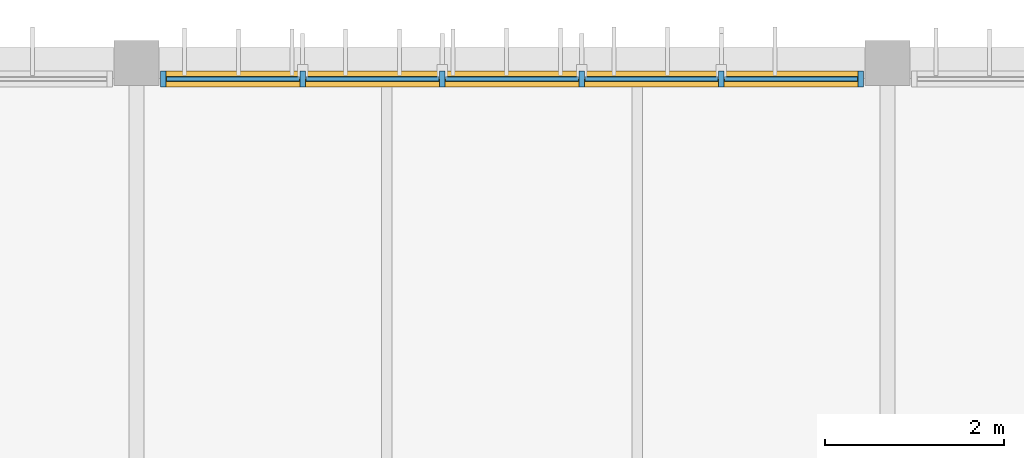
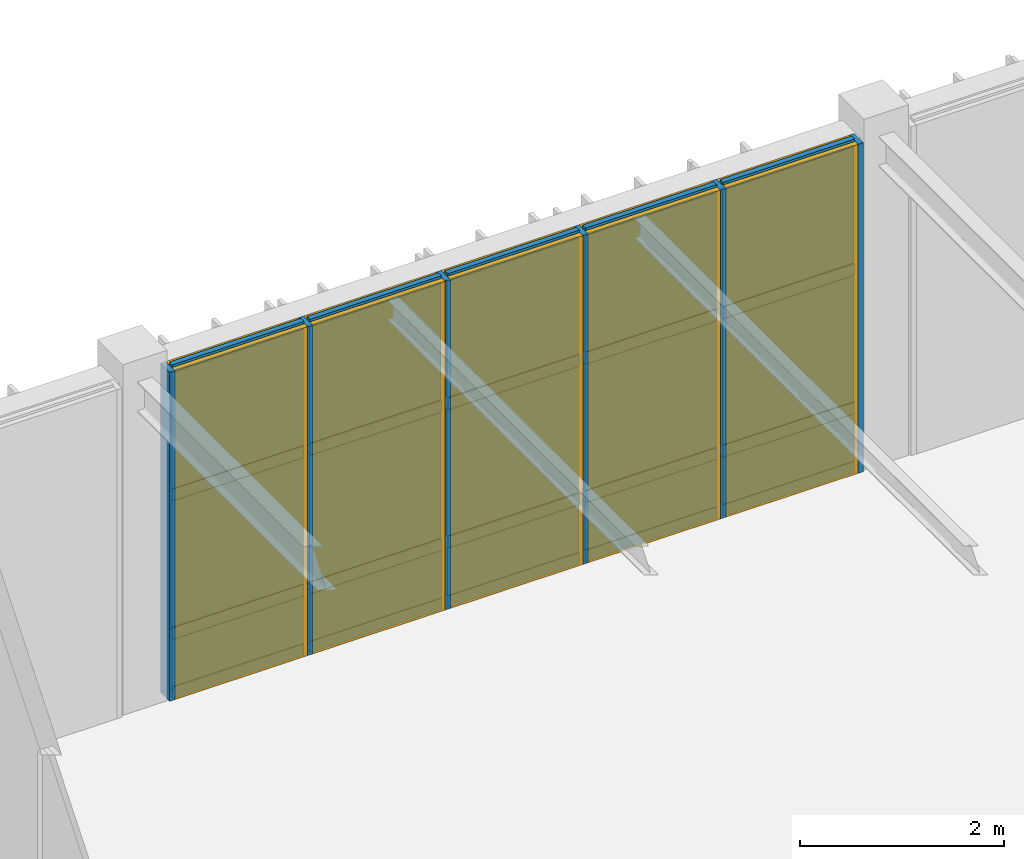
# One storey, part 104 of 122: 26 members, 15 plates, 1 curtain wall.
"""IFC4 building model written with IfcOpenShell, lengths in metres."""

import ifcopenshell
import ifcopenshell.guid

model = None  # the IFC model being written
_history = None  # IfcOwnerHistory: only IFC2X3 demands one
_inside = {}  # id of a spatial element -> (the spatial element, [elements in it])
_under = {}  # id of a project, library or spatial element -> (it, [spatial elements below it])
_declared = {}  # id of a project -> (the project, [libraries it declares])
_typed = {}  # id of a type object -> (the type object, [elements of that type])
_made_of = {}  # id of a material, layer set ... -> (it, [elements and type objects made of it])


def new_model(schema):
    """Start an empty IFC model of exactly this schema.

    Asked for "IFC4X3", IfcOpenShell would pick the latest addendum, in which some entities
    have other attributes; the version numbers below select the first issue.
    IFC2X3 requires an IfcOwnerHistory on every rooted entity: one is made here for all.
    """
    global model, _history
    if schema == "IFC4X3":
        model = ifcopenshell.file(schema_version=(4, 3, 0, 0))
    else:
        model = ifcopenshell.file(schema=schema)
    _inside.clear()
    _under.clear()
    _declared.clear()
    _typed.clear()
    _made_of.clear()
    _history = None
    if model.schema == "IFC2X3":
        org = make("IfcOrganization", Name="unknown")
        user = make(
            "IfcPersonAndOrganization",
            ThePerson=make("IfcPerson", FamilyName="unknown"),
            TheOrganization=org,
        )
        app = make(
            "IfcApplication",
            ApplicationDeveloper=org,
            Version="unknown",
            ApplicationFullName="unknown",
            ApplicationIdentifier="unknown",
        )
        _history = make(
            "IfcOwnerHistory",
            OwningUser=user,
            OwningApplication=app,
            ChangeAction="ADDED",
            CreationDate=0,
        )
    return model


def make(cls, **values):
    """One entity of the class cls with the attributes given. An attribute that is None is left unset."""
    return model.create_entity(
        cls, **{name: value for name, value in values.items() if value is not None}
    )


def rooted(cls, **values):
    """An entity with a GlobalId (a new one), such as an element, a storey or a relation."""
    return make(cls, GlobalId=ifcopenshell.guid.new(), OwnerHistory=_history, **values)


def si_unit(unit_type, name, prefix=None):
    """IfcSIUnit, for example si_unit("LENGTHUNIT", "METRE", prefix="MILLI")."""
    return make("IfcSIUnit", UnitType=unit_type, Prefix=prefix, Name=name)


def assignment(units):
    """IfcUnitAssignment: the units of a project."""
    return None if units is None else make("IfcUnitAssignment", Units=units)


def point(xyz):
    """IfcCartesianPoint."""
    return None if xyz is None else make("IfcCartesianPoint", Coordinates=xyz)


def direction(xyz):
    """IfcDirection."""
    return None if xyz is None else make("IfcDirection", DirectionRatios=xyz)


def frame(location, z_axis=None, x_axis=None):
    """IfcAxis2Placement3D, a coordinate frame: its origin and axes. An axis left out is left unset."""
    return make(
        "IfcAxis2Placement3D",
        Location=point(location),
        Axis=direction(z_axis),
        RefDirection=direction(x_axis),
    )


def frame_2d(location, x_axis=None):
    """IfcAxis2Placement2D, a coordinate frame in the plane: its origin and x axis."""
    return make(
        "IfcAxis2Placement2D", Location=point(location), RefDirection=direction(x_axis)
    )


def origin():
    """The frame at (0, 0, 0) with its axes left unset."""
    return frame((0.0, 0.0, 0.0))


def origin_2d():
    """The frame at (0, 0) in the plane with its x axis left unset."""
    return frame_2d((0.0, 0.0))


def place(relative_to, where):
    """IfcLocalPlacement: puts the frame where relative to a parent placement (None: the world)."""
    return make(
        "IfcLocalPlacement", PlacementRelTo=relative_to, RelativePlacement=where
    )


def context(
    kind, dimensions, precision=None, world=None, true_north=None, identifier=None
):
    """IfcGeometricRepresentationContext, for example the 3D "Model" context."""
    return make(
        "IfcGeometricRepresentationContext",
        ContextIdentifier=identifier,
        ContextType=kind,
        CoordinateSpaceDimension=dimensions,
        Precision=precision,
        WorldCoordinateSystem=world,
        TrueNorth=true_north,
    )


def subcontext(parent, identifier, kind, view, scale=None):
    """IfcGeometricRepresentationSubContext, for example "Body" below "Model"."""
    return make(
        "IfcGeometricRepresentationSubContext",
        ContextIdentifier=identifier,
        ContextType=kind,
        ParentContext=parent,
        TargetScale=scale,
        TargetView=view,
    )


def project(units=None, contexts=None):
    """IfcProject with its units and contexts."""
    return rooted(
        "IfcProject",
        Name="project",
        RepresentationContexts=contexts,
        UnitsInContext=assignment(units),
    )


def spatial(cls, under=None, at=None, **own):
    """A site, building, storey or space (cls), placed at a placement, below another one or the project."""
    s = rooted(cls, ObjectPlacement=at, **own)
    if under is not None:
        _under.setdefault(under.id(), (under, []))[1].append(s)
    return s


def profile(cls, at=None, kind="AREA", **sizes):
    """A parametric profile (cls). Its sizes go by their IFC names, for example OverallWidth=200.0."""
    return make(cls, ProfileType=kind, Position=at, **sizes)


def rectangle(**sizes):
    """IfcRectangleProfileDef."""
    return profile("IfcRectangleProfileDef", **sizes)


def extrude(swept, where, along, depth):
    """IfcExtrudedAreaSolid: the profile swept, set in the frame where, extruded along a direction by depth."""
    return make(
        "IfcExtrudedAreaSolid",
        SweptArea=swept,
        Position=where,
        ExtrudedDirection=direction(along),
        Depth=depth,
    )


def shape(context_of_items, identifier, shape_type, items):
    """IfcShapeRepresentation: the items that make up one representation, for example the "Body"."""
    return make(
        "IfcShapeRepresentation",
        ContextOfItems=context_of_items,
        RepresentationIdentifier=identifier,
        RepresentationType=shape_type,
        Items=items,
    )


def material(Name=None, Category=None):
    """IfcMaterial."""
    return make("IfcMaterial", Name=Name, Category=Category)


def layer(
    of_material, thickness, ventilated=None, Name=None, Category=None, Priority=None
):
    """IfcMaterialLayer: one layer of a wall or slab, of a material (None: an air gap)."""
    return make(
        "IfcMaterialLayer",
        Material=of_material,
        LayerThickness=thickness,
        IsVentilated=ventilated,
        Name=Name,
        Category=Category,
        Priority=Priority,
    )


def layer_set(layers, Name=None):
    """IfcMaterialLayerSet."""
    return make("IfcMaterialLayerSet", MaterialLayers=layers, LayerSetName=Name)


def material_profile(
    of_material, cross_section, Name=None, Category=None, Priority=None
):
    """IfcMaterialProfile: a cross section and its material."""
    return make(
        "IfcMaterialProfile",
        Name=Name,
        Material=of_material,
        Profile=cross_section,
        Priority=Priority,
        Category=Category,
    )


def profile_set(profiles, Name=None, composite=None):
    """IfcMaterialProfileSet."""
    return make(
        "IfcMaterialProfileSet",
        Name=Name,
        MaterialProfiles=profiles,
        CompositeProfile=composite,
    )


def made_of(thing, what):
    """Note that an element or type object is made of a material, layer set ...; save() writes the relation."""
    if what is not None:
        _made_of.setdefault(what.id(), (what, []))[1].append(thing)
    return thing


def type_object(cls, material=None, **own):
    """A type object (cls), such as IfcWallType, which elements share."""
    return made_of(rooted(cls, **own), material)


def element(
    cls,
    number,
    at=None,
    inside=None,
    cuts=None,
    type_object=None,
    material=None,
    context=None,
    identifier="Body",
    shape_type=None,
    held_by="IfcProductDefinitionShape",
    body=None,
    shapes=None,
    **own,
):
    """One element of the class cls, such as IfcWall. Its Tag is "e" and its number.

    at: its placement. inside: the storey or other place that contains it. cuts: it is an
    opening in that element (IfcRelVoidsElement). A single representation is given by context,
    identifier, shape_type and body (its items); several are given by shapes. held_by: the class
    of the entity that holds the representations. save() writes the other relations.
    """
    e = rooted(cls, Tag="e%d" % number, ObjectPlacement=at, **own)
    if body is not None:
        shapes = [shape(context, identifier, shape_type, body)]
    if shapes is not None:
        e.Representation = make(held_by, Representations=shapes)
    if inside is not None:
        _inside.setdefault(inside.id(), (inside, []))[1].append(e)
    if cuts is not None:
        rooted(
            "IfcRelVoidsElement", RelatingBuildingElement=cuts, RelatedOpeningElement=e
        )
    if type_object is not None:
        _typed.setdefault(type_object.id(), (type_object, []))[1].append(e)
    return made_of(e, material)


def aggregate(whole, parts):
    """IfcRelAggregates: a whole, such as a stair, and the parts it consists of."""
    return rooted("IfcRelAggregates", RelatingObject=whole, RelatedObjects=parts)


def save(model, path):
    """Write the relations noted so far, then the file.

    IfcRelAggregates (storeys below a building ...), IfcRelContainedInSpatialStructure (elements
    in a storey), IfcRelDefinesByType, IfcRelAssociatesMaterial and IfcRelDeclares: one each for
    every whole, place, type object, material and project.
    """
    for whole, parts in _under.values():
        aggregate(whole, parts)
    for where, things in _inside.values():
        rooted(
            "IfcRelContainedInSpatialStructure",
            RelatedElements=things,
            RelatingStructure=where,
        )
    for kind, things in _typed.values():
        rooted("IfcRelDefinesByType", RelatedObjects=things, RelatingType=kind)
    for what, things in _made_of.values():
        rooted("IfcRelAssociatesMaterial", RelatedObjects=things, RelatingMaterial=what)
    for by, libraries in _declared.values():
        rooted("IfcRelDeclares", RelatingContext=by, RelatedDefinitions=libraries)
    model.write(path)


model = new_model("IFC4")

# Units and contexts
model_context = context("Model", 3, precision=1e-05, world=origin(), true_north=direction((0.0, 1.0)))
body_context = subcontext(model_context, "Body", "Model", "MODEL_VIEW")
ifc_project = project(units=[si_unit("LENGTHUNIT", "METRE"), si_unit("AREAUNIT", "SQUARE_METRE"), si_unit("VOLUMEUNIT", "CUBIC_METRE"), si_unit("PLANEANGLEUNIT", "RADIAN"), si_unit("MASSUNIT", "GRAM", prefix="KILO")], contexts=[model_context])

# Member
ifc_material_1 = material(Name="Anodised Bronze Aluminium 6063-T6", Category="aluminium")
ifc_material_profile_1 = material_profile(ifc_material_1, rectangle(XDim=0.06005859375, YDim=0.179931640625, at=origin_2d()), Name="ALU MULLION 60x180")
ifc_profile_set_1 = profile_set([ifc_material_profile_1], Name="Anodised Bronze Aluminium 6063-T6")
member_type_1 = type_object("IfcMemberType", Name="Curtain-Wall Primary Mullion 60x180", PredefinedType="MULLION", material=ifc_profile_set_1)
site_placement = place(None, origin())
building_placement = place(site_placement, origin())
storey_placement = place(building_placement, frame((0.0, 0.0, 4.800048828125)))
member_1_placement = place(storey_placement, frame((134.10009765625, 111.6201171875, 0.0), z_axis=(0.0, 0.0, 1.0), x_axis=(1.0, 0.0, 0.0)))
member_1 = element("IfcMember", 1, at=member_1_placement, type_object=member_type_1, Name="Mullion CWM-01 CW-V3-N3-L01-B2-M01", PredefinedType="MULLION", context=body_context, shape_type="SweptSolid", body=[
    extrude(rectangle(XDim=0.06005859375, YDim=0.179931640625, at=origin_2d()), origin(), (0.0, 0.0, 1.0), 3.93994140625),
])

member_2_placement = place(storey_placement, frame((135.659912109375, 111.6201171875, 0.0), z_axis=(0.0, 0.0, 1.0), x_axis=(1.0, 0.0, 0.0)))
member_2 = element("IfcMember", 2, at=member_2_placement, type_object=member_type_1, Name="Mullion CWM-01 CW-V3-N3-L01-B2-M02", PredefinedType="MULLION", context=body_context, shape_type="SweptSolid", body=[
    extrude(rectangle(XDim=0.06005859375, YDim=0.179931640625, at=origin_2d()), origin(), (0.0, 0.0, 1.0), 3.93994140625),
])

member_3_placement = place(storey_placement, frame((137.219970703125, 111.6201171875, 0.0), z_axis=(0.0, 0.0, 1.0), x_axis=(1.0, 0.0, 0.0)))
member_3 = element("IfcMember", 3, at=member_3_placement, type_object=member_type_1, Name="Mullion CWM-01 CW-V3-N3-L01-B2-M03", PredefinedType="MULLION", context=body_context, shape_type="SweptSolid", body=[
    extrude(rectangle(XDim=0.06005859375, YDim=0.179931640625, at=origin_2d()), origin(), (0.0, 0.0, 1.0), 3.93994140625),
])

member_4_placement = place(storey_placement, frame((138.780029296875, 111.6201171875, 0.0), z_axis=(0.0, 0.0, 1.0), x_axis=(1.0, 0.0, 0.0)))
member_4 = element("IfcMember", 4, at=member_4_placement, type_object=member_type_1, Name="Mullion CWM-01 CW-V3-N3-L01-B2-M04", PredefinedType="MULLION", context=body_context, shape_type="SweptSolid", body=[
    extrude(rectangle(XDim=0.06005859375, YDim=0.179931640625, at=origin_2d()), origin(), (0.0, 0.0, 1.0), 3.93994140625),
])

member_5_placement = place(storey_placement, frame((140.340087890625, 111.6201171875, 0.0), z_axis=(0.0, 0.0, 1.0), x_axis=(1.0, 0.0, 0.0)))
member_5 = element("IfcMember", 5, at=member_5_placement, type_object=member_type_1, Name="Mullion CWM-01 CW-V3-N3-L01-B2-M05", PredefinedType="MULLION", context=body_context, shape_type="SweptSolid", body=[
    extrude(rectangle(XDim=0.06005859375, YDim=0.179931640625, at=origin_2d()), origin(), (0.0, 0.0, 1.0), 3.93994140625),
])

member_6_placement = place(storey_placement, frame((141.89990234375, 111.6201171875, 0.0), z_axis=(0.0, 0.0, 1.0), x_axis=(1.0, 0.0, 0.0)))
member_6 = element("IfcMember", 6, at=member_6_placement, type_object=member_type_1, Name="Mullion CWM-01 CW-V3-N3-L01-B2-M06", PredefinedType="MULLION", context=body_context, shape_type="SweptSolid", body=[
    extrude(rectangle(XDim=0.06005859375, YDim=0.179931640625, at=origin_2d()), origin(), (0.0, 0.0, 1.0), 3.93994140625),
])

ifc_material_profile_2 = material_profile(ifc_material_1, rectangle(XDim=0.06005859375, YDim=0.139892578125, at=origin_2d()), Name="ALU TRANSOM 60x140")
ifc_profile_set_2 = profile_set([ifc_material_profile_2], Name="Anodised Bronze Aluminium 6063-T6")
member_type_2 = type_object("IfcMemberType", Name="Curtain-Wall Transom 60x140", PredefinedType="USERDEFINED", material=ifc_profile_set_2)
member_7_placement = place(storey_placement, frame((134.135009765625, 111.6201171875, 0.0400390625), z_axis=(1.0, 0.0, 0.0), x_axis=(0.0, 1.0, 0.0)))
member_7 = element("IfcMember", 7, at=member_7_placement, type_object=member_type_2, Name="Transom CWT-01 CW-V3-N3-L01-B2-T01.1", ObjectType="TRANSOM", PredefinedType="USERDEFINED", context=body_context, shape_type="SweptSolid", body=[
    extrude(rectangle(XDim=0.06005859375, YDim=0.139892578125, at=origin_2d()), origin(), (0.0, 0.0, 1.0), 1.489990234375),
])

member_8_placement = place(storey_placement, frame((134.135009765625, 111.6201171875, 0.75), z_axis=(1.0, 0.0, 0.0), x_axis=(0.0, 1.0, 0.0)))
member_8 = element("IfcMember", 8, at=member_8_placement, type_object=member_type_2, Name="Transom CWT-01 CW-V3-N3-L01-B2-T01.2", ObjectType="TRANSOM", PredefinedType="USERDEFINED", context=body_context, shape_type="SweptSolid", body=[
    extrude(rectangle(XDim=0.06005859375, YDim=0.139892578125, at=origin_2d()), origin(), (0.0, 0.0, 1.0), 1.489990234375),
])

member_9_placement = place(storey_placement, frame((134.135009765625, 111.6201171875, 2.40869140625), z_axis=(1.0, 0.0, 0.0), x_axis=(0.0, 1.0, 0.0)))
member_9 = element("IfcMember", 9, at=member_9_placement, type_object=member_type_2, Name="Transom CWT-01 CW-V3-N3-L01-B2-T01.3", ObjectType="TRANSOM", PredefinedType="USERDEFINED", context=body_context, shape_type="SweptSolid", body=[
    extrude(rectangle(XDim=0.06005859375, YDim=0.139892578125, at=origin_2d()), origin(), (0.0, 0.0, 1.0), 1.489990234375),
])

member_10_placement = place(storey_placement, frame((134.135009765625, 111.6201171875, 3.89990234375), z_axis=(1.0, 0.0, 0.0), x_axis=(0.0, 1.0, 0.0)))
member_10 = element("IfcMember", 10, at=member_10_placement, type_object=member_type_2, Name="Transom CWT-01 CW-V3-N3-L01-B2-T01.4", ObjectType="TRANSOM", PredefinedType="USERDEFINED", context=body_context, shape_type="SweptSolid", body=[
    extrude(rectangle(XDim=0.06005859375, YDim=0.139892578125, at=origin_2d()), origin(), (0.0, 0.0, 1.0), 1.489990234375),
])

member_11_placement = place(storey_placement, frame((135.695068359375, 111.6201171875, 0.0400390625), z_axis=(1.0, 0.0, 0.0), x_axis=(0.0, 1.0, 0.0)))
member_11 = element("IfcMember", 11, at=member_11_placement, type_object=member_type_2, Name="Transom CWT-01 CW-V3-N3-L01-B2-T02.1", ObjectType="TRANSOM", PredefinedType="USERDEFINED", context=body_context, shape_type="SweptSolid", body=[
    extrude(rectangle(XDim=0.06005859375, YDim=0.139892578125, at=origin_2d()), origin(), (0.0, 0.0, 1.0), 1.489990234375),
])

member_12_placement = place(storey_placement, frame((135.695068359375, 111.6201171875, 0.75), z_axis=(1.0, 0.0, 0.0), x_axis=(0.0, 1.0, 0.0)))
member_12 = element("IfcMember", 12, at=member_12_placement, type_object=member_type_2, Name="Transom CWT-01 CW-V3-N3-L01-B2-T02.2", ObjectType="TRANSOM", PredefinedType="USERDEFINED", context=body_context, shape_type="SweptSolid", body=[
    extrude(rectangle(XDim=0.06005859375, YDim=0.139892578125, at=origin_2d()), origin(), (0.0, 0.0, 1.0), 1.489990234375),
])

member_13_placement = place(storey_placement, frame((135.695068359375, 111.6201171875, 2.40869140625), z_axis=(1.0, 0.0, 0.0), x_axis=(0.0, 1.0, 0.0)))
member_13 = element("IfcMember", 13, at=member_13_placement, type_object=member_type_2, Name="Transom CWT-01 CW-V3-N3-L01-B2-T02.3", ObjectType="TRANSOM", PredefinedType="USERDEFINED", context=body_context, shape_type="SweptSolid", body=[
    extrude(rectangle(XDim=0.06005859375, YDim=0.139892578125, at=origin_2d()), origin(), (0.0, 0.0, 1.0), 1.489990234375),
])

member_14_placement = place(storey_placement, frame((135.695068359375, 111.6201171875, 3.89990234375), z_axis=(1.0, 0.0, 0.0), x_axis=(0.0, 1.0, 0.0)))
member_14 = element("IfcMember", 14, at=member_14_placement, type_object=member_type_2, Name="Transom CWT-01 CW-V3-N3-L01-B2-T02.4", ObjectType="TRANSOM", PredefinedType="USERDEFINED", context=body_context, shape_type="SweptSolid", body=[
    extrude(rectangle(XDim=0.06005859375, YDim=0.139892578125, at=origin_2d()), origin(), (0.0, 0.0, 1.0), 1.489990234375),
])

member_15_placement = place(storey_placement, frame((137.2548828125, 111.6201171875, 0.0400390625), z_axis=(1.0, 0.0, 0.0), x_axis=(0.0, 1.0, 0.0)))
member_15 = element("IfcMember", 15, at=member_15_placement, type_object=member_type_2, Name="Transom CWT-01 CW-V3-N3-L01-B2-T03.1", ObjectType="TRANSOM", PredefinedType="USERDEFINED", context=body_context, shape_type="SweptSolid", body=[
    extrude(rectangle(XDim=0.06005859375, YDim=0.139892578125, at=origin_2d()), origin(), (0.0, 0.0, 1.0), 1.490234375),
])

member_16_placement = place(storey_placement, frame((137.2548828125, 111.6201171875, 0.75), z_axis=(1.0, 0.0, 0.0), x_axis=(0.0, 1.0, 0.0)))
member_16 = element("IfcMember", 16, at=member_16_placement, type_object=member_type_2, Name="Transom CWT-01 CW-V3-N3-L01-B2-T03.2", ObjectType="TRANSOM", PredefinedType="USERDEFINED", context=body_context, shape_type="SweptSolid", body=[
    extrude(rectangle(XDim=0.06005859375, YDim=0.139892578125, at=origin_2d()), origin(), (0.0, 0.0, 1.0), 1.490234375),
])

member_17_placement = place(storey_placement, frame((137.2548828125, 111.6201171875, 2.40869140625), z_axis=(1.0, 0.0, 0.0), x_axis=(0.0, 1.0, 0.0)))
member_17 = element("IfcMember", 17, at=member_17_placement, type_object=member_type_2, Name="Transom CWT-01 CW-V3-N3-L01-B2-T03.3", ObjectType="TRANSOM", PredefinedType="USERDEFINED", context=body_context, shape_type="SweptSolid", body=[
    extrude(rectangle(XDim=0.06005859375, YDim=0.139892578125, at=origin_2d()), origin(), (0.0, 0.0, 1.0), 1.490234375),
])

member_18_placement = place(storey_placement, frame((137.2548828125, 111.6201171875, 3.89990234375), z_axis=(1.0, 0.0, 0.0), x_axis=(0.0, 1.0, 0.0)))
member_18 = element("IfcMember", 18, at=member_18_placement, type_object=member_type_2, Name="Transom CWT-01 CW-V3-N3-L01-B2-T03.4", ObjectType="TRANSOM", PredefinedType="USERDEFINED", context=body_context, shape_type="SweptSolid", body=[
    extrude(rectangle(XDim=0.06005859375, YDim=0.139892578125, at=origin_2d()), origin(), (0.0, 0.0, 1.0), 1.490234375),
])

member_19_placement = place(storey_placement, frame((138.81494140625, 111.6201171875, 0.0400390625), z_axis=(1.0, 0.0, 0.0), x_axis=(0.0, 1.0, 0.0)))
member_19 = element("IfcMember", 19, at=member_19_placement, type_object=member_type_2, Name="Transom CWT-01 CW-V3-N3-L01-B2-T04.1", ObjectType="TRANSOM", PredefinedType="USERDEFINED", context=body_context, shape_type="SweptSolid", body=[
    extrude(rectangle(XDim=0.06005859375, YDim=0.139892578125, at=origin_2d()), origin(), (0.0, 0.0, 1.0), 1.489990234375),
])

member_20_placement = place(storey_placement, frame((138.81494140625, 111.6201171875, 0.75), z_axis=(1.0, 0.0, 0.0), x_axis=(0.0, 1.0, 0.0)))
member_20 = element("IfcMember", 20, at=member_20_placement, type_object=member_type_2, Name="Transom CWT-01 CW-V3-N3-L01-B2-T04.2", ObjectType="TRANSOM", PredefinedType="USERDEFINED", context=body_context, shape_type="SweptSolid", body=[
    extrude(rectangle(XDim=0.06005859375, YDim=0.139892578125, at=origin_2d()), origin(), (0.0, 0.0, 1.0), 1.489990234375),
])

member_21_placement = place(storey_placement, frame((138.81494140625, 111.6201171875, 2.40869140625), z_axis=(1.0, 0.0, 0.0), x_axis=(0.0, 1.0, 0.0)))
member_21 = element("IfcMember", 21, at=member_21_placement, type_object=member_type_2, Name="Transom CWT-01 CW-V3-N3-L01-B2-T04.3", ObjectType="TRANSOM", PredefinedType="USERDEFINED", context=body_context, shape_type="SweptSolid", body=[
    extrude(rectangle(XDim=0.06005859375, YDim=0.139892578125, at=origin_2d()), origin(), (0.0, 0.0, 1.0), 1.489990234375),
])

member_22_placement = place(storey_placement, frame((138.81494140625, 111.6201171875, 3.89990234375), z_axis=(1.0, 0.0, 0.0), x_axis=(0.0, 1.0, 0.0)))
member_22 = element("IfcMember", 22, at=member_22_placement, type_object=member_type_2, Name="Transom CWT-01 CW-V3-N3-L01-B2-T04.4", ObjectType="TRANSOM", PredefinedType="USERDEFINED", context=body_context, shape_type="SweptSolid", body=[
    extrude(rectangle(XDim=0.06005859375, YDim=0.139892578125, at=origin_2d()), origin(), (0.0, 0.0, 1.0), 1.489990234375),
])

member_23_placement = place(storey_placement, frame((140.375, 111.6201171875, 0.0400390625), z_axis=(1.0, 0.0, 0.0), x_axis=(0.0, 1.0, 0.0)))
member_23 = element("IfcMember", 23, at=member_23_placement, type_object=member_type_2, Name="Transom CWT-01 CW-V3-N3-L01-B2-T05.1", ObjectType="TRANSOM", PredefinedType="USERDEFINED", context=body_context, shape_type="SweptSolid", body=[
    extrude(rectangle(XDim=0.06005859375, YDim=0.139892578125, at=origin_2d()), origin(), (0.0, 0.0, 1.0), 1.489990234375),
])

member_24_placement = place(storey_placement, frame((140.375, 111.6201171875, 0.75), z_axis=(1.0, 0.0, 0.0), x_axis=(0.0, 1.0, 0.0)))
member_24 = element("IfcMember", 24, at=member_24_placement, type_object=member_type_2, Name="Transom CWT-01 CW-V3-N3-L01-B2-T05.2", ObjectType="TRANSOM", PredefinedType="USERDEFINED", context=body_context, shape_type="SweptSolid", body=[
    extrude(rectangle(XDim=0.06005859375, YDim=0.139892578125, at=origin_2d()), origin(), (0.0, 0.0, 1.0), 1.489990234375),
])

member_25_placement = place(storey_placement, frame((140.375, 111.6201171875, 2.40869140625), z_axis=(1.0, 0.0, 0.0), x_axis=(0.0, 1.0, 0.0)))
member_25 = element("IfcMember", 25, at=member_25_placement, type_object=member_type_2, Name="Transom CWT-01 CW-V3-N3-L01-B2-T05.3", ObjectType="TRANSOM", PredefinedType="USERDEFINED", context=body_context, shape_type="SweptSolid", body=[
    extrude(rectangle(XDim=0.06005859375, YDim=0.139892578125, at=origin_2d()), origin(), (0.0, 0.0, 1.0), 1.489990234375),
])

member_26_placement = place(storey_placement, frame((140.375, 111.6201171875, 3.89990234375), z_axis=(1.0, 0.0, 0.0), x_axis=(0.0, 1.0, 0.0)))
member_26 = element("IfcMember", 26, at=member_26_placement, type_object=member_type_2, Name="Transom CWT-01 CW-V3-N3-L01-B2-T05.4", ObjectType="TRANSOM", PredefinedType="USERDEFINED", context=body_context, shape_type="SweptSolid", body=[
    extrude(rectangle(XDim=0.06005859375, YDim=0.139892578125, at=origin_2d()), origin(), (0.0, 0.0, 1.0), 1.489990234375),
])

# Plate
ifc_material_2 = material(Name="Insulated Bronze Aluminium Spandrel Panel", Category="aluminium")
ifc_layer_1 = layer(ifc_material_2, 0.050048828125, Name="Insulated Bronze Aluminium Spandrel Panel")
ifc_layer_set_1 = layer_set([ifc_layer_1], Name="Insulated Bronze Aluminium Spandrel Panel")
plate_type_1 = type_object("IfcPlateType", Name="Insulated Anodised Aluminium Spandrel Cassette 50", PredefinedType="CURTAIN_PANEL", material=ifc_layer_set_1)
plate_1_placement = place(storey_placement, frame((134.8798828125, 111.6201171875, 0.070068359375), z_axis=(0.0, 0.0, 1.0), x_axis=(1.0, 0.0, 0.0)))
plate_1 = element("IfcPlate", 27, at=plate_1_placement, type_object=plate_type_1, Name="Curtain Panel CWP-03 CW-V3-N3-L01-B2-P01.1", PredefinedType="CURTAIN_PANEL", context=body_context, shape_type="SweptSolid", body=[
    extrude(rectangle(XDim=1.489990234375, YDim=0.050048828125, at=origin_2d()), origin(), (0.0, 0.0, 1.0), 0.64990234375),
])

plate_2_placement = place(storey_placement, frame((136.43994140625, 111.6201171875, 0.070068359375), z_axis=(0.0, 0.0, 1.0), x_axis=(1.0, 0.0, 0.0)))
plate_2 = element("IfcPlate", 28, at=plate_2_placement, type_object=plate_type_1, Name="Curtain Panel CWP-03 CW-V3-N3-L01-B2-P02.1", PredefinedType="CURTAIN_PANEL", context=body_context, shape_type="SweptSolid", body=[
    extrude(rectangle(XDim=1.489990234375, YDim=0.050048828125, at=origin_2d()), origin(), (0.0, 0.0, 1.0), 0.64990234375),
])

plate_3_placement = place(storey_placement, frame((138.0, 111.6201171875, 0.070068359375), z_axis=(0.0, 0.0, 1.0), x_axis=(1.0, 0.0, 0.0)))
plate_3 = element("IfcPlate", 29, at=plate_3_placement, type_object=plate_type_1, Name="Curtain Panel CWP-03 CW-V3-N3-L01-B2-P03.1", PredefinedType="CURTAIN_PANEL", context=body_context, shape_type="SweptSolid", body=[
    extrude(rectangle(XDim=1.489990234375, YDim=0.050048828125, at=origin_2d()), origin(), (0.0, 0.0, 1.0), 0.64990234375),
])

plate_4_placement = place(storey_placement, frame((139.56005859375, 111.6201171875, 0.070068359375), z_axis=(0.0, 0.0, 1.0), x_axis=(1.0, 0.0, 0.0)))
plate_4 = element("IfcPlate", 30, at=plate_4_placement, type_object=plate_type_1, Name="Curtain Panel CWP-03 CW-V3-N3-L01-B2-P04.1", PredefinedType="CURTAIN_PANEL", context=body_context, shape_type="SweptSolid", body=[
    extrude(rectangle(XDim=1.489990234375, YDim=0.050048828125, at=origin_2d()), origin(), (0.0, 0.0, 1.0), 0.64990234375),
])

plate_5_placement = place(storey_placement, frame((141.1201171875, 111.6201171875, 0.070068359375), z_axis=(0.0, 0.0, 1.0), x_axis=(1.0, 0.0, 0.0)))
plate_5 = element("IfcPlate", 31, at=plate_5_placement, type_object=plate_type_1, Name="Curtain Panel CWP-03 CW-V3-N3-L01-B2-P05.1", PredefinedType="CURTAIN_PANEL", context=body_context, shape_type="SweptSolid", body=[
    extrude(rectangle(XDim=1.489990234375, YDim=0.050048828125, at=origin_2d()), origin(), (0.0, 0.0, 1.0), 0.64990234375),
])

ifc_material_3 = material(Name="Solar-Control Tempered Double Glazing", Category="glass")
ifc_layer_2 = layer(ifc_material_3, 0.0380859375, Name="Solar-Control Tempered Double Glazing")
ifc_layer_set_2 = layer_set([ifc_layer_2], Name="Solar-Control Tempered Double Glazing")
plate_type_2 = type_object("IfcPlateType", Name="Solar-Control Vision Glazing Unit 38", PredefinedType="CURTAIN_PANEL", material=ifc_layer_set_2)
plate_6_placement = place(storey_placement, frame((134.8798828125, 111.6201171875, 0.77978515625), z_axis=(0.0, 0.0, 1.0), x_axis=(1.0, 0.0, 0.0)))
plate_6 = element("IfcPlate", 32, at=plate_6_placement, type_object=plate_type_2, Name="Curtain Panel CWP-02 CW-V3-N3-L01-B2-P01.2", PredefinedType="CURTAIN_PANEL", context=body_context, shape_type="SweptSolid", body=[
    extrude(rectangle(XDim=1.489990234375, YDim=0.0380859375, at=origin_2d()), origin(), (0.0, 0.0, 1.0), 1.598876953125),
])

plate_7_placement = place(storey_placement, frame((134.8798828125, 111.6201171875, 2.438720703125), z_axis=(0.0, 0.0, 1.0), x_axis=(1.0, 0.0, 0.0)))
plate_7 = element("IfcPlate", 33, at=plate_7_placement, type_object=plate_type_2, Name="Curtain Panel CWP-02 CW-V3-N3-L01-B2-P01.3", PredefinedType="CURTAIN_PANEL", context=body_context, shape_type="SweptSolid", body=[
    extrude(rectangle(XDim=1.489990234375, YDim=0.0380859375, at=origin_2d()), origin(), (0.0, 0.0, 1.0), 1.43115234375),
])

plate_8_placement = place(storey_placement, frame((136.43994140625, 111.6201171875, 0.77978515625), z_axis=(0.0, 0.0, 1.0), x_axis=(1.0, 0.0, 0.0)))
plate_8 = element("IfcPlate", 34, at=plate_8_placement, type_object=plate_type_2, Name="Curtain Panel CWP-02 CW-V3-N3-L01-B2-P02.2", PredefinedType="CURTAIN_PANEL", context=body_context, shape_type="SweptSolid", body=[
    extrude(rectangle(XDim=1.489990234375, YDim=0.0380859375, at=origin_2d()), origin(), (0.0, 0.0, 1.0), 1.598876953125),
])

plate_9_placement = place(storey_placement, frame((136.43994140625, 111.6201171875, 2.438720703125), z_axis=(0.0, 0.0, 1.0), x_axis=(1.0, 0.0, 0.0)))
plate_9 = element("IfcPlate", 35, at=plate_9_placement, type_object=plate_type_2, Name="Curtain Panel CWP-02 CW-V3-N3-L01-B2-P02.3", PredefinedType="CURTAIN_PANEL", context=body_context, shape_type="SweptSolid", body=[
    extrude(rectangle(XDim=1.489990234375, YDim=0.0380859375, at=origin_2d()), origin(), (0.0, 0.0, 1.0), 1.43115234375),
])

plate_10_placement = place(storey_placement, frame((138.0, 111.6201171875, 0.77978515625), z_axis=(0.0, 0.0, 1.0), x_axis=(1.0, 0.0, 0.0)))
plate_10 = element("IfcPlate", 36, at=plate_10_placement, type_object=plate_type_2, Name="Curtain Panel CWP-02 CW-V3-N3-L01-B2-P03.2", PredefinedType="CURTAIN_PANEL", context=body_context, shape_type="SweptSolid", body=[
    extrude(rectangle(XDim=1.489990234375, YDim=0.0380859375, at=origin_2d()), origin(), (0.0, 0.0, 1.0), 1.598876953125),
])

plate_11_placement = place(storey_placement, frame((138.0, 111.6201171875, 2.438720703125), z_axis=(0.0, 0.0, 1.0), x_axis=(1.0, 0.0, 0.0)))
plate_11 = element("IfcPlate", 37, at=plate_11_placement, type_object=plate_type_2, Name="Curtain Panel CWP-02 CW-V3-N3-L01-B2-P03.3", PredefinedType="CURTAIN_PANEL", context=body_context, shape_type="SweptSolid", body=[
    extrude(rectangle(XDim=1.489990234375, YDim=0.0380859375, at=origin_2d()), origin(), (0.0, 0.0, 1.0), 1.43115234375),
])

plate_12_placement = place(storey_placement, frame((139.56005859375, 111.6201171875, 0.77978515625), z_axis=(0.0, 0.0, 1.0), x_axis=(1.0, 0.0, 0.0)))
plate_12 = element("IfcPlate", 38, at=plate_12_placement, type_object=plate_type_2, Name="Curtain Panel CWP-02 CW-V3-N3-L01-B2-P04.2", PredefinedType="CURTAIN_PANEL", context=body_context, shape_type="SweptSolid", body=[
    extrude(rectangle(XDim=1.489990234375, YDim=0.0380859375, at=origin_2d()), origin(), (0.0, 0.0, 1.0), 1.598876953125),
])

plate_13_placement = place(storey_placement, frame((139.56005859375, 111.6201171875, 2.438720703125), z_axis=(0.0, 0.0, 1.0), x_axis=(1.0, 0.0, 0.0)))
plate_13 = element("IfcPlate", 39, at=plate_13_placement, type_object=plate_type_2, Name="Curtain Panel CWP-02 CW-V3-N3-L01-B2-P04.3", PredefinedType="CURTAIN_PANEL", context=body_context, shape_type="SweptSolid", body=[
    extrude(rectangle(XDim=1.489990234375, YDim=0.0380859375, at=origin_2d()), origin(), (0.0, 0.0, 1.0), 1.43115234375),
])

plate_14_placement = place(storey_placement, frame((141.1201171875, 111.6201171875, 0.77978515625), z_axis=(0.0, 0.0, 1.0), x_axis=(1.0, 0.0, 0.0)))
plate_14 = element("IfcPlate", 40, at=plate_14_placement, type_object=plate_type_2, Name="Curtain Panel CWP-02 CW-V3-N3-L01-B2-P05.2", PredefinedType="CURTAIN_PANEL", context=body_context, shape_type="SweptSolid", body=[
    extrude(rectangle(XDim=1.489990234375, YDim=0.0380859375, at=origin_2d()), origin(), (0.0, 0.0, 1.0), 1.598876953125),
])

plate_15_placement = place(storey_placement, frame((141.1201171875, 111.6201171875, 2.438720703125), z_axis=(0.0, 0.0, 1.0), x_axis=(1.0, 0.0, 0.0)))
plate_15 = element("IfcPlate", 41, at=plate_15_placement, type_object=plate_type_2, Name="Curtain Panel CWP-02 CW-V3-N3-L01-B2-P05.3", PredefinedType="CURTAIN_PANEL", context=body_context, shape_type="SweptSolid", body=[
    extrude(rectangle(XDim=1.489990234375, YDim=0.0380859375, at=origin_2d()), origin(), (0.0, 0.0, 1.0), 1.43115234375),
])

# Site, building, storey
site = spatial("IfcSite", under=ifc_project, at=site_placement, CompositionType="ELEMENT")
building = spatial("IfcBuilding", under=site, at=building_placement, Name="Tazoul Stagehouse", CompositionType="ELEMENT")
storey = spatial("IfcBuildingStorey", under=building, at=storey_placement, Name="L01", CompositionType="ELEMENT", Elevation=4.800048828125)

# Curtain wall
curtain_wall_type = type_object("IfcCurtainWallType", Name="Rehearsal North Daylight Curtain Wall", PredefinedType="NOTDEFINED", material=ifc_material_1)
curtain_wall_placement = place(storey_placement, frame((134.10009765625, 111.6201171875, 0.0), z_axis=(0.0, 0.0, 1.0), x_axis=(1.0, 0.0, 0.0)))
curtain_wall = element("IfcCurtainWall", 42, at=curtain_wall_placement, inside=storey, type_object=curtain_wall_type, Name="L01 Curtain Wall CW-04 (CW-V3-N3-L01-B2)", PredefinedType="NOTDEFINED", context=body_context, shape_type="SweptSolid", body=[
    extrude(rectangle(XDim=7.7998046875, YDim=0.179931640625, at=frame_2d((3.89990234375, 0.0))), origin(), (0.0, 0.0, 1.0), 3.93994140625),
])

aggregate(curtain_wall, [member_1, member_2, member_3, member_4, member_5, member_6, member_7, member_8, member_9, member_10, plate_1, plate_6, plate_7, member_11, member_12, member_13, member_14, plate_2, plate_8, plate_9, member_15, member_16, member_17, member_18, plate_3, plate_10, plate_11, member_19, member_20, member_21, member_22, plate_4, plate_12, plate_13, member_23, member_24, member_25, member_26, plate_5, plate_14, plate_15])

save(model, "model.ifc")
